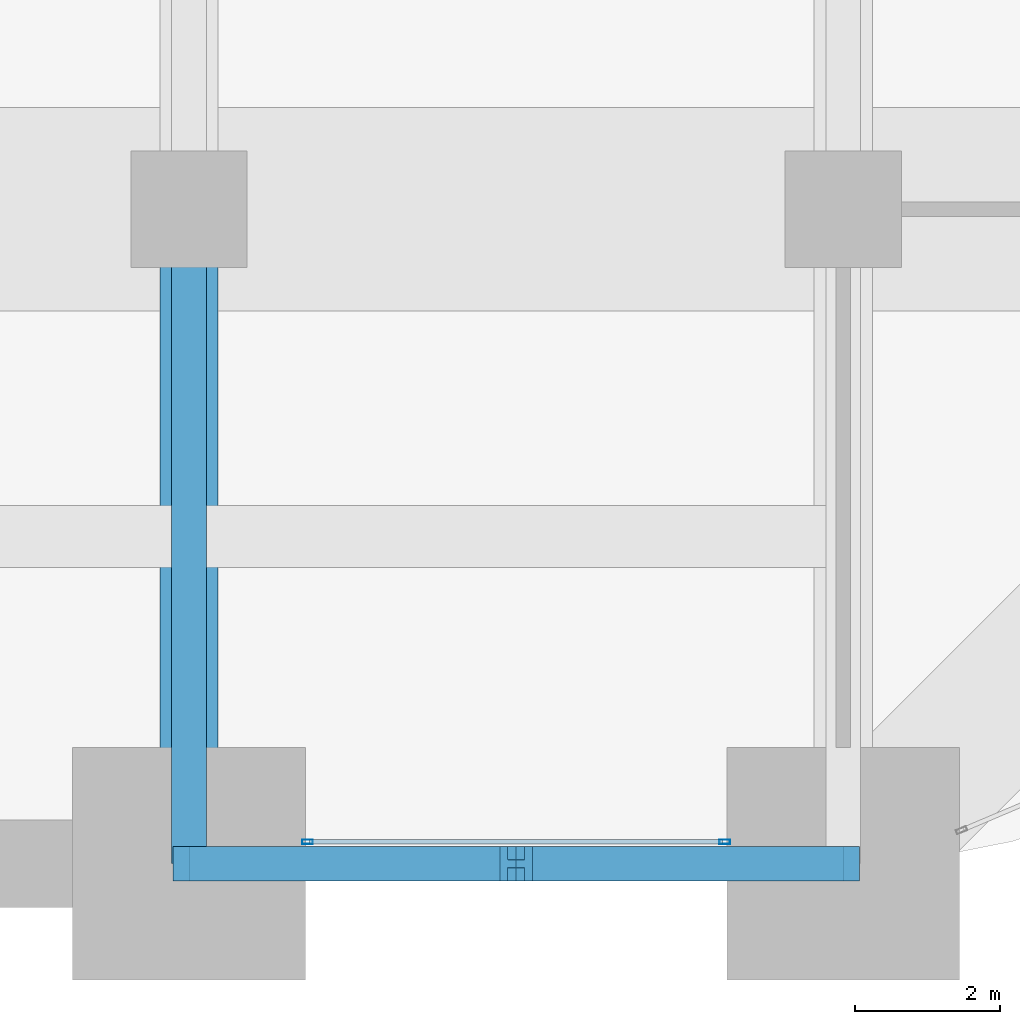
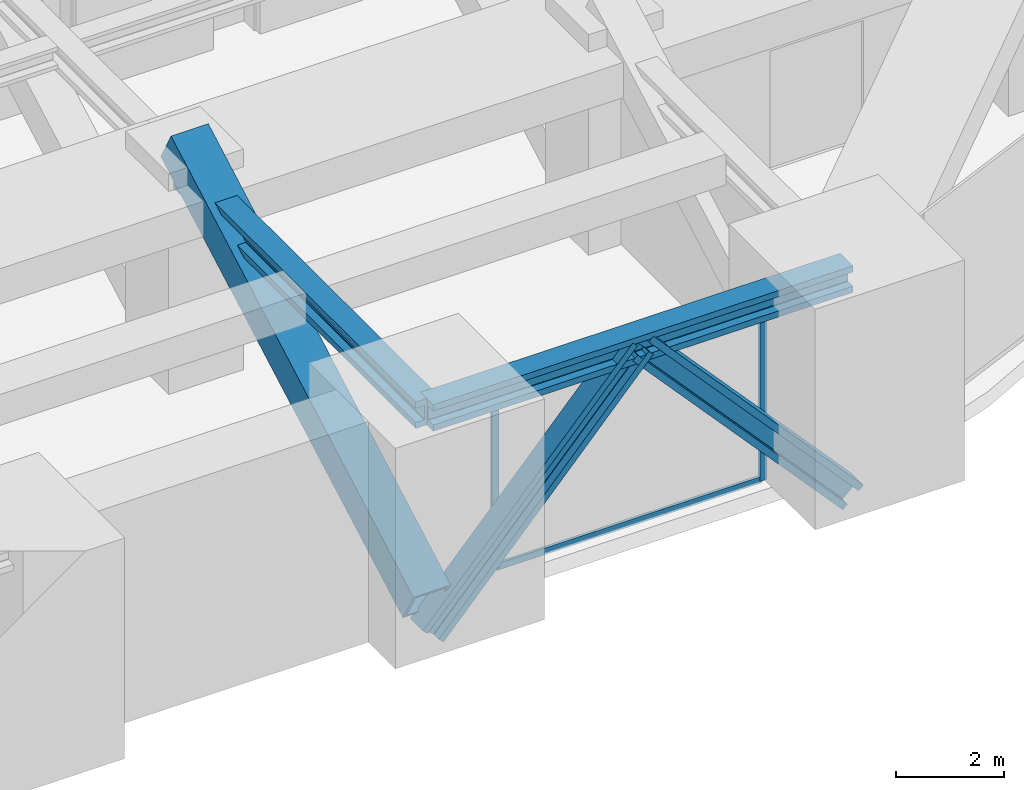
# One storey, part 8 of 32: 6 members, 2 beams, 1 element without a shape of its own.
"""IFC4 building model written with IfcOpenShell, lengths in metres."""

from ifc_helpers import new_model, si_unit, direction, frame, origin, origin_2d, place, context, subcontext, project, spatial, hollow_rectangle, i_section, extrude, material, material_profile, profile_set, type_object, element, aggregate, save


model = new_model("IFC4")

# Units and contexts
model_context = context("Model", 3, precision=1e-05, world=origin(), true_north=direction((0.0, 1.0)))
body_context = subcontext(model_context, "Body", "Model", "MODEL_VIEW")
ifc_project = project(units=[si_unit("LENGTHUNIT", "METRE"), si_unit("AREAUNIT", "SQUARE_METRE"), si_unit("VOLUMEUNIT", "CUBIC_METRE"), si_unit("PLANEANGLEUNIT", "RADIAN"), si_unit("MASSUNIT", "GRAM", prefix="KILO")], contexts=[model_context])

# Site, building, storey
site_placement = place(None, origin())
site = spatial("IfcSite", under=ifc_project, at=site_placement, CompositionType="ELEMENT")
building_placement = place(site_placement, origin())
building = spatial("IfcBuilding", under=site, at=building_placement, Name="Zorevar Civic Tower", CompositionType="ELEMENT")
storey_placement = place(building_placement, frame((0.0, 0.0, 234.39990234375)))
storey = spatial("IfcBuildingStorey", under=building, at=storey_placement, Name="L57", CompositionType="ELEMENT", Elevation=234.39990234375)

# Beam
ifc_material_1 = material(Name="Steel S460M (HISTAR 460)", Category="steel")
ifc_material_profile_1 = material_profile(ifc_material_1, i_section(OverallWidth=0.47607421875, OverallDepth=0.60009765625, WebThickness=0.10009765625, FlangeThickness=0.139892578125, FilletRadius=0.014892578125, at=origin_2d()), Name="HD 400x1299")
ifc_profile_set_1 = profile_set([ifc_material_profile_1], Name="Steel S460M (HISTAR 460)")
beam_type_1 = type_object("IfcBeamType", Name="Belt chord HD 400x1299", PredefinedType="BEAM", material=ifc_profile_set_1)
beam_1_placement = place(storey_placement, frame((36.0, 0.0, 4.300048828125), z_axis=(1.0, 0.0, 0.0), x_axis=(0.0, 1.0, 0.0)))
element("IfcBeam", 1, at=beam_1_placement, inside=storey, type_object=beam_type_1, Name="Belt chord L58", PredefinedType="BEAM", context=body_context, shape_type="SweptSolid", body=[
    extrude(i_section(OverallWidth=0.47607421875, OverallDepth=0.60009765625, WebThickness=0.10009765625, FlangeThickness=0.139892578125, FilletRadius=0.014892578125, at=origin_2d()), origin(), (0.0, 0.0, 1.0), 9.0),
])

# Members
ifc_material_2 = material(Name="Steel S460M (HISTAR 460)", Category="steel")
ifc_material_profile_2 = material_profile(ifc_material_2, i_section(OverallWidth=0.47607421875, OverallDepth=0.60009765625, WebThickness=0.10009765625, FlangeThickness=0.139892578125, FilletRadius=0.014892578125, at=origin_2d()), Name="HD 400x1299")
ifc_profile_set_2 = profile_set([ifc_material_profile_2], Name="Steel S460M (HISTAR 460)")
member_type_1 = type_object("IfcMemberType", Name="Belt strut HD 400x1299", PredefinedType="BRACE", material=ifc_profile_set_2)
for number, where, z_axis, x_axis, name in (
    (2, (36.0, 0.0, -0.64990234375), (0.672676426978, 0.0, 0.739936770669), (0.0, 1.0, 0.0), "Belt strut S L57"),
    (3, (45.0, 0.0, -0.64990234375), (-0.672676426978, 0.0, 0.739936770669), (0.0, -1.0, 0.0), "Belt strut S L57"),
):
    element("IfcMember", number, at=place(storey_placement, frame(where, z_axis=z_axis, x_axis=x_axis)), inside=storey, type_object=member_type_1, Name=name, PredefinedType="BRACE", context=body_context, shape_type="SweptSolid", body=[
        extrude(i_section(OverallWidth=0.47607421875, OverallDepth=0.60009765625, WebThickness=0.10009765625, FlangeThickness=0.139892578125, FilletRadius=0.014892578125, at=origin_2d()), origin(), (0.0, 0.0, 1.0), 6.689697265625),
    ])

# Curtain wall, members
ifc_material_3 = material(Name="Black aluminium louvres", Category="aluminium")
curtain_wall_type = type_object("IfcCurtainWallType", Name="Louvred curtain wall CW6 refuge", PredefinedType="NOTDEFINED", material=ifc_material_3)
curtain_wall_placement = place(storey_placement, origin())
curtain_wall = element("IfcCurtainWall", 4, at=curtain_wall_placement, inside=storey, type_object=curtain_wall_type, Name="CW6 L57", PredefinedType="NOTDEFINED")
ifc_material_4 = material(Name="Aluminium, black anodised", Category="aluminium")
ifc_material_profile_3 = material_profile(ifc_material_4, hollow_rectangle(XDim=0.06005859375, YDim=0.14990234375, WallThickness=0.00390625, at=origin_2d()), Name="AL 150x60x4")
ifc_profile_set_3 = profile_set([ifc_material_profile_3], Name="Aluminium, black anodised")
member_type_2 = type_object("IfcMemberType", Name="CW6 mullion AL 150x60x4", PredefinedType="MULLION", material=ifc_profile_set_3)
member_1_placement = place(storey_placement, frame((37.6298828125, 0.300048828125, 0.0), z_axis=(0.0, 0.0, 1.0), x_axis=(0.0, 1.0, 0.0)))
member_1 = element("IfcMember", 5, at=member_1_placement, type_object=member_type_2, Name="CW6 mullion 1", PredefinedType="MULLION", context=body_context, shape_type="SweptSolid", body=[
    extrude(hollow_rectangle(XDim=0.06005859375, YDim=0.14990234375, WallThickness=0.00390625, at=origin_2d()), origin(), (0.0, 0.0, 1.0), 3.800048828125),
])
member_2_placement = place(storey_placement, frame((43.3701171875, 0.300048828125, 0.0), z_axis=(0.0, 0.0, 1.0), x_axis=(0.0, 1.0, 0.0)))
member_2 = element("IfcMember", 6, at=member_2_placement, type_object=member_type_2, Name="CW6 mullion 2", PredefinedType="MULLION", context=body_context, shape_type="SweptSolid", body=[
    extrude(hollow_rectangle(XDim=0.06005859375, YDim=0.14990234375, WallThickness=0.00390625, at=origin_2d()), origin(), (0.0, 0.0, 1.0), 3.800048828125),
])
ifc_material_5 = material(Name="Aluminium, black anodised", Category="aluminium")
ifc_material_profile_4 = material_profile(ifc_material_5, hollow_rectangle(XDim=0.06005859375, YDim=0.14990234375, WallThickness=0.00390625, at=origin_2d()), Name="AL 150x60x4")
ifc_profile_set_4 = profile_set([ifc_material_profile_4], Name="Aluminium, black anodised")
member_type_3 = type_object("IfcMemberType", Name="CW6 transom AL 150x60x4", PredefinedType="USERDEFINED", material=ifc_profile_set_4)
member_3_placement = place(storey_placement, frame((37.659912109375, 0.300048828125, 0.030029296875), z_axis=(1.0, 0.0, 0.0), x_axis=(0.0, 1.0, 0.0)))
member_3 = element("IfcMember", 7, at=member_3_placement, type_object=member_type_3, Name="CW6 sill transom", ObjectType="TRANSOM", PredefinedType="USERDEFINED", context=body_context, shape_type="SweptSolid", body=[
    extrude(hollow_rectangle(XDim=0.06005859375, YDim=0.14990234375, WallThickness=0.00390625, at=origin_2d()), origin(), (0.0, 0.0, 1.0), 5.68017578125),
])
aggregate(curtain_wall, [member_1, member_2, member_3])

# Beam
ifc_material_6 = material(Name="Steel S460M (HISTAR 460)", Category="steel")
ifc_material_profile_5 = material_profile(ifc_material_6, i_section(OverallWidth=0.47607421875, OverallDepth=0.60009765625, WebThickness=0.10009765625, FlangeThickness=0.139892578125, FilletRadius=0.014892578125, at=origin_2d()), Name="HD 400x1299")
ifc_profile_set_5 = profile_set([ifc_material_profile_5], Name="Steel S460M (HISTAR 460)")
beam_type_2 = type_object("IfcBeamType", Name="Outrigger chord HD 400x1299", PredefinedType="BEAM", material=ifc_profile_set_5)
beam_2_placement = place(storey_placement, frame((36.0, 0.0, 4.300048828125), z_axis=(0.0, 1.0, 0.0), x_axis=(-1.0, 0.0, 0.0)))
element("IfcBeam", 8, at=beam_2_placement, inside=storey, type_object=beam_type_2, Name="Outrigger chord L58", PredefinedType="BEAM", context=body_context, shape_type="SweptSolid", body=[
    extrude(i_section(OverallWidth=0.47607421875, OverallDepth=0.60009765625, WebThickness=0.10009765625, FlangeThickness=0.139892578125, FilletRadius=0.014892578125, at=origin_2d()), origin(), (0.0, 0.0, 1.0), 9.0),
])

# Member
ifc_material_7 = material(Name="Steel S460M (HISTAR 460)", Category="steel")
ifc_material_profile_6 = material_profile(ifc_material_7, hollow_rectangle(XDim=0.800048828125, YDim=0.800048828125, WallThickness=0.06005859375, at=origin_2d()), Name="BOX 800x800x60")
ifc_profile_set_6 = profile_set([ifc_material_profile_6], Name="Steel S460M (HISTAR 460)")
member_type_4 = type_object("IfcMemberType", Name="Outrigger diagonal BOX 800x800x60", PredefinedType="BRACE", material=ifc_profile_set_6)
member_4_placement = place(storey_placement, frame((36.0, 9.0, 5.0), z_axis=(0.0, -0.874157276122, -0.485642931179), x_axis=(1.0, 0.0, 0.0)))
element("IfcMember", 9, at=member_4_placement, inside=storey, type_object=member_type_4, Name="Outrigger diagonal S L57", PredefinedType="BRACE", context=body_context, shape_type="SweptSolid", body=[
    extrude(hollow_rectangle(XDim=0.800048828125, YDim=0.800048828125, WallThickness=0.06005859375, at=origin_2d()), origin(), (0.0, 0.0, 1.0), 10.295654296875),
])

save(model, "model.ifc")
